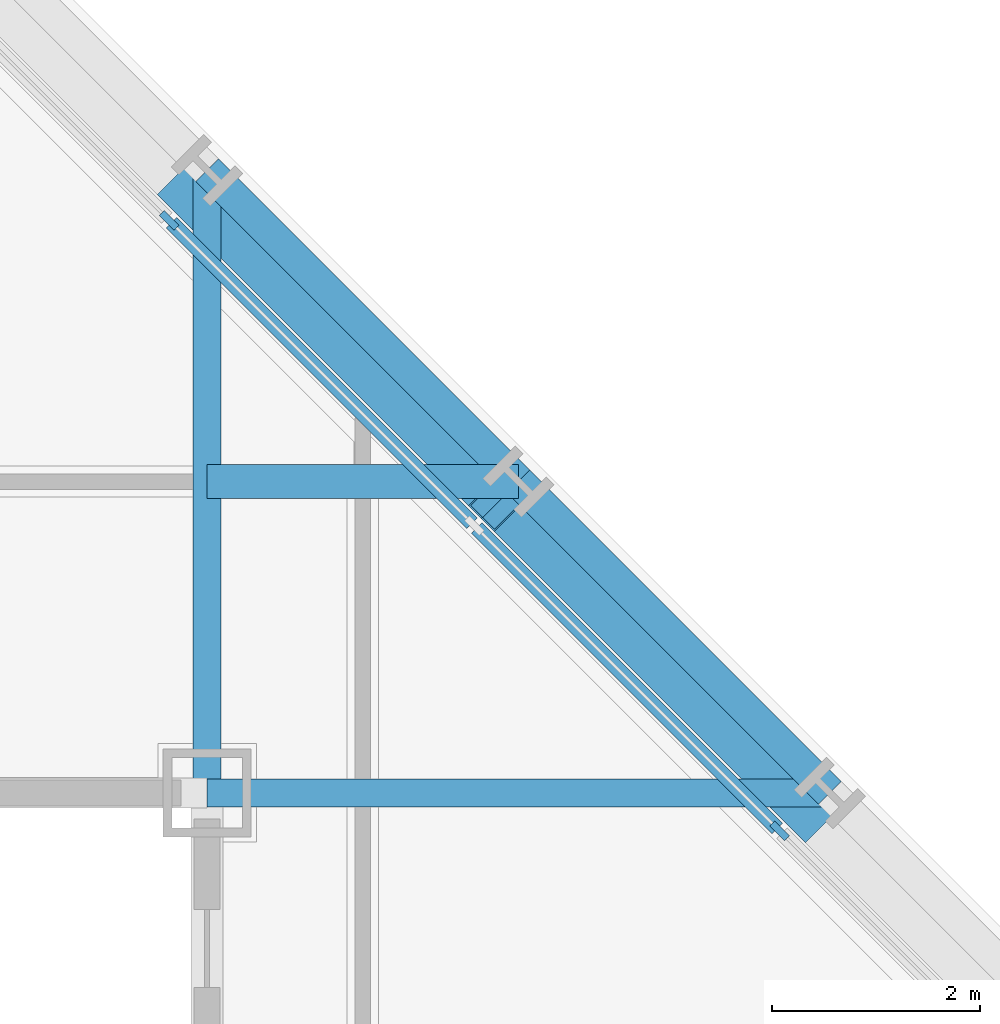
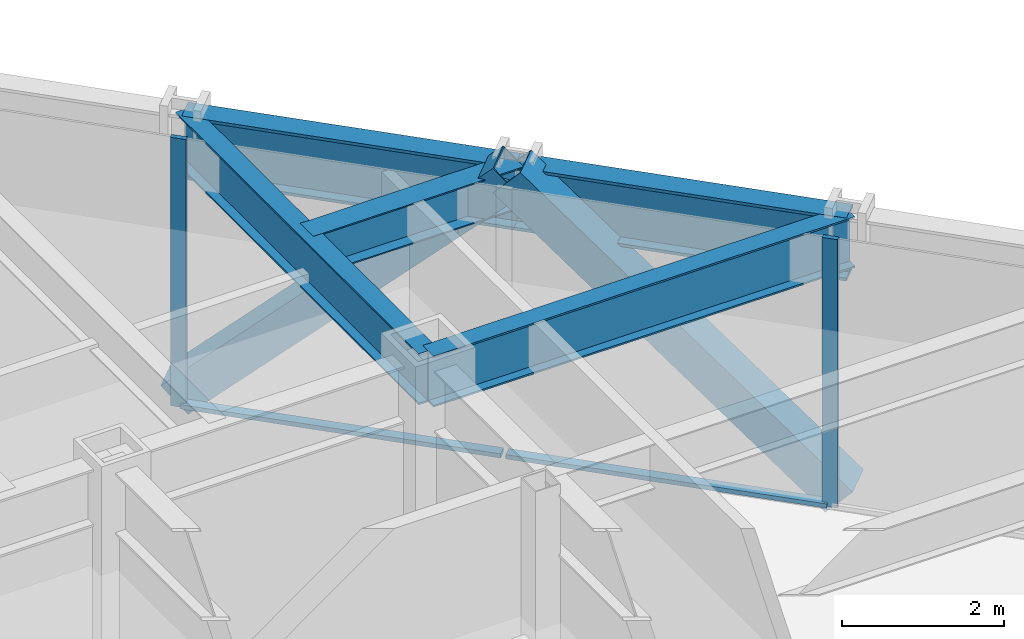
# One storey, part 8 of 16: 6 members, 5 beams, 1 element without a shape of its own.
"""IFC4 building model written with IfcOpenShell, lengths in metres."""

from ifc_helpers import new_model, si_unit, direction, frame, origin, origin_2d, place, context, subcontext, project, spatial, rectangle, hollow_rectangle, i_section, extrude, material, layer, layer_set, material_profile, profile_set, type_object, element, aggregate, save


model = new_model("IFC4")

# Units and contexts
model_context = context("Model", 3, precision=1e-05, world=origin(), true_north=direction((0.0, 1.0)))
body_context = subcontext(model_context, "Body", "Model", "MODEL_VIEW")
ifc_project = project(units=[si_unit("LENGTHUNIT", "METRE"), si_unit("AREAUNIT", "SQUARE_METRE"), si_unit("VOLUMEUNIT", "CUBIC_METRE"), si_unit("PLANEANGLEUNIT", "RADIAN"), si_unit("MASSUNIT", "GRAM", prefix="KILO")], contexts=[model_context])

# Site, building, storey
site_placement = place(None, origin())
site = spatial("IfcSite", under=ifc_project, at=site_placement, CompositionType="ELEMENT")
building_placement = place(site_placement, origin())
building = spatial("IfcBuilding", under=site, at=building_placement, Name="Chuquiago Exchange Tower", CompositionType="ELEMENT")
storey_placement = place(building_placement, frame((0.0, 0.0, 106.800048828125)))
storey = spatial("IfcBuildingStorey", under=building, at=storey_placement, Name="L22", CompositionType="ELEMENT", Elevation=106.800048828125)

# Beam
ifc_material_1 = material(Name="Steel ASTM A992", Category="steel")
ifc_material_profile_1 = material_profile(ifc_material_1, i_section(OverallWidth=0.3251953125, OverallDepth=0.612060546875, WebThickness=0.0126953125, FlangeThickness=0.01904296875, at=origin_2d()), Name="W24X104")
ifc_profile_set_1 = profile_set([ifc_material_profile_1], Name="Steel ASTM A992")
beam_type_1 = type_object("IfcBeamType", Name="B2 W24X104", PredefinedType="BEAM", material=ifc_profile_set_1)
beam_placement = place(storey_placement, frame((33.0, 36.0, 3.73388671875), z_axis=(1.0, 0.0, 0.0), x_axis=(0.0, 1.0, 0.0)))
element("IfcBeam", 1, at=beam_placement, inside=storey, type_object=beam_type_1, Name="FB-L23-corner-33_36-36_36-0", PredefinedType="BEAM", context=body_context, shape_type="SweptSolid", body=[
    extrude(i_section(OverallWidth=0.3251953125, OverallDepth=0.612060546875, WebThickness=0.0126953125, FlangeThickness=0.01904296875, at=origin_2d()), origin(), (0.0, 0.0, 1.0), 3.0),
])

# Curtain wall, members
ifc_material_2 = material(Name="Aluminium curtain wall system", Category="aluminium")
ifc_layer = layer(ifc_material_2, 0.199951171875)
ifc_layer_set = layer_set([ifc_layer], Name="CW3 facet curtain wall")
curtain_wall_type = type_object("IfcCurtainWallType", Name="CW3 facet curtain wall", PredefinedType="NOTDEFINED", material=ifc_layer_set)
curtain_wall_placement = place(storey_placement, origin())
curtain_wall = element("IfcCurtainWall", 2, at=curtain_wall_placement, inside=storey, type_object=curtain_wall_type, Name="CW3 curtain wall L22", PredefinedType="NOTDEFINED")
ifc_material_3 = material(Name="Aluminium mullion, pale anodised", Category="aluminium")
ifc_material_profile_2 = material_profile(ifc_material_3, rectangle(XDim=0.06494140625, YDim=0.199951171875, at=origin_2d()), Name="AL 65x200")
ifc_profile_set_2 = profile_set([ifc_material_profile_2], Name="Aluminium mullion, pale anodised")
member_type_1 = type_object("IfcMemberType", Name="CW3-M mullion 65x200", PredefinedType="MULLION", material=ifc_profile_set_2)
member_1_placement = place(storey_placement, frame((38.51708984375, 32.63427734375, 0.0), z_axis=(0.0, 0.0, 1.0), x_axis=(-0.707106781187, -0.707106781187, 0.0)))
member_1 = element("IfcMember", 3, at=member_1_placement, type_object=member_type_1, Name="CW3 mullion 3", PredefinedType="MULLION", context=body_context, shape_type="SweptSolid", body=[
    extrude(rectangle(XDim=0.06494140625, YDim=0.199951171875, at=origin_2d()), origin(), (0.0, 0.0, 1.0), 4.0400390625),
])
member_2_placement = place(storey_placement, frame((32.63427734375, 38.51708984375, 0.0), z_axis=(0.0, 0.0, 1.0), x_axis=(-0.707106781187, -0.707106781187, 0.0)))
member_2 = element("IfcMember", 4, at=member_2_placement, type_object=member_type_1, Name="CW3 mullion 5", PredefinedType="MULLION", context=body_context, shape_type="SweptSolid", body=[
    extrude(rectangle(XDim=0.06494140625, YDim=0.199951171875, at=origin_2d()), origin(), (0.0, 0.0, 1.0), 4.0400390625),
])
ifc_material_4 = material(Name="Aluminium transom, pale anodised", Category="aluminium")
ifc_material_profile_3 = material_profile(ifc_material_4, rectangle(XDim=0.139892578125, YDim=0.06494140625, at=origin_2d()), Name="AL 140x65")
ifc_profile_set_3 = profile_set([ifc_material_profile_3], Name="Aluminium transom, pale anodised")
member_type_2 = type_object("IfcMemberType", Name="CW3-T transom 65x140", PredefinedType="MULLION", material=ifc_profile_set_3)
member_3_placement = place(storey_placement, frame((38.494140625, 32.6572265625, 0.032470703125), z_axis=(-0.707106781187, 0.707106781187, 0.0), x_axis=(-0.707106781187, -0.707106781187, 0.0)))
member_3 = element("IfcMember", 5, at=member_3_placement, type_object=member_type_2, Name="CW3 transom 3.1", PredefinedType="MULLION", context=body_context, shape_type="SweptSolid", body=[
    extrude(rectangle(XDim=0.139892578125, YDim=0.06494140625, at=origin_2d()), origin(), (0.0, 0.0, 1.0), 4.094970703125),
])
member_4_placement = place(storey_placement, frame((35.552734375, 35.5986328125, 0.032470703125), z_axis=(-0.707106781187, 0.707106781187, 0.0), x_axis=(-0.707106781187, -0.707106781187, 0.0)))
member_4 = element("IfcMember", 6, at=member_4_placement, type_object=member_type_2, Name="CW3 transom 4.1", PredefinedType="MULLION", context=body_context, shape_type="SweptSolid", body=[
    extrude(rectangle(XDim=0.139892578125, YDim=0.06494140625, at=origin_2d()), origin(), (0.0, 0.0, 1.0), 4.094970703125),
])
aggregate(curtain_wall, [member_1, member_2, member_3, member_4])

# Beams
ifc_material_5 = material(Name="Steel ASTM A992", Category="steel")
ifc_material_profile_4 = material_profile(ifc_material_5, i_section(OverallWidth=0.2666015625, OverallDepth=0.76953125, WebThickness=0.015625, FlangeThickness=0.025390625, at=origin_2d()), Name="W30X132")
ifc_profile_set_4 = profile_set([ifc_material_profile_4], Name="Steel ASTM A992")
beam_type_2 = type_object("IfcBeamType", Name="G1 W30X132", PredefinedType="BEAM", material=ifc_profile_set_4)
for number, where, z_axis, x_axis, name in (
    (7, (33.0, 33.0, 3.655029296875), (0.0, 1.0, 0.0), (-1.0, 0.0, 0.0), "FB-L23-girder-33_33-33_39-0"),
    (8, (33.0, 33.0, 3.655029296875), (1.0, 0.0, 0.0), (0.0, 1.0, 0.0), "FB-L23-girder-33_33-39_33-0"),
):
    element("IfcBeam", number, at=place(storey_placement, frame(where, z_axis=z_axis, x_axis=x_axis)), inside=storey, type_object=beam_type_2, Name=name, PredefinedType="BEAM", context=body_context, shape_type="SweptSolid", body=[
        extrude(i_section(OverallWidth=0.2666015625, OverallDepth=0.76953125, WebThickness=0.015625, FlangeThickness=0.025390625, at=origin_2d()), origin(), (0.0, 0.0, 1.0), 6.0),
    ])

# Members
ifc_material_6 = material(Name="Steel ASTM A500 Grade C", Category="steel")
ifc_material_profile_5 = material_profile(ifc_material_6, hollow_rectangle(XDim=0.508056640625, YDim=0.508056640625, WallThickness=0.017822265625, at=origin_2d()), Name="HSS20X20X3/4")
ifc_profile_set_5 = profile_set([ifc_material_profile_5], Name="Steel ASTM A500 Grade C")
member_type_3 = type_object("IfcMemberType", Name="LB1 HSS20X20X3/4", PredefinedType="BRACE", material=ifc_profile_set_5)
for number, where, z_axis, x_axis, name in (
    (9, (38.822509765625, 32.822509765625, 0.0), (-0.512077265487, 0.512077265487, 0.689604051861), (-0.707106781187, -0.707106781187, 0.0), "LB-L22-39_33-36_36"),
    (10, (32.822509765625, 38.822509765625, 0.0), (0.512077265487, -0.512077265487, 0.689604051861), (0.707106781187, 0.707106781187, 0.0), "LB-L22-36_36-33_39"),
):
    element("IfcMember", number, at=place(storey_placement, frame(where, z_axis=z_axis, x_axis=x_axis)), inside=storey, type_object=member_type_3, Name=name, PredefinedType="BRACE", context=body_context, shape_type="SweptSolid", body=[
        extrude(hollow_rectangle(XDim=0.508056640625, YDim=0.508056640625, WallThickness=0.017822265625, at=origin_2d()), origin(), (0.0, 0.0, 1.0), 5.8583984375),
    ])

# Beams
ifc_material_7 = material(Name="Steel ASTM A992", Category="steel")
ifc_material_profile_6 = material_profile(ifc_material_7, i_section(OverallWidth=0.309814453125, OverallDepth=0.949951171875, WebThickness=0.0244140625, FlangeThickness=0.0439453125, at=origin_2d()), Name="W36X256")
ifc_profile_set_6 = profile_set([ifc_material_profile_6], Name="Steel ASTM A992")
beam_type_3 = type_object("IfcBeamType", Name="SP2 W36X256", PredefinedType="SPANDREL", material=ifc_profile_set_6)
for number, where, z_axis, x_axis, name in (
    (11, (39.0, 33.0, 3.56494140625), (-0.707106781187, 0.707106781187, 0.0), (-0.707106781187, -0.707106781187, 0.0), "SPB-L23-39_33-36_36"),
    (12, (36.0, 36.0, 3.56494140625), (-0.707106781187, 0.707106781187, 0.0), (-0.707106781187, -0.707106781187, 0.0), "SPB-L23-36_36-33_39"),
):
    element("IfcBeam", number, at=place(storey_placement, frame(where, z_axis=z_axis, x_axis=x_axis)), inside=storey, type_object=beam_type_3, Name=name, PredefinedType="SPANDREL", context=body_context, shape_type="SweptSolid", body=[
        extrude(i_section(OverallWidth=0.309814453125, OverallDepth=0.949951171875, WebThickness=0.0244140625, FlangeThickness=0.0439453125, at=origin_2d()), origin(), (0.0, 0.0, 1.0), 4.24267578125),
    ])

save(model, "model.ifc")
